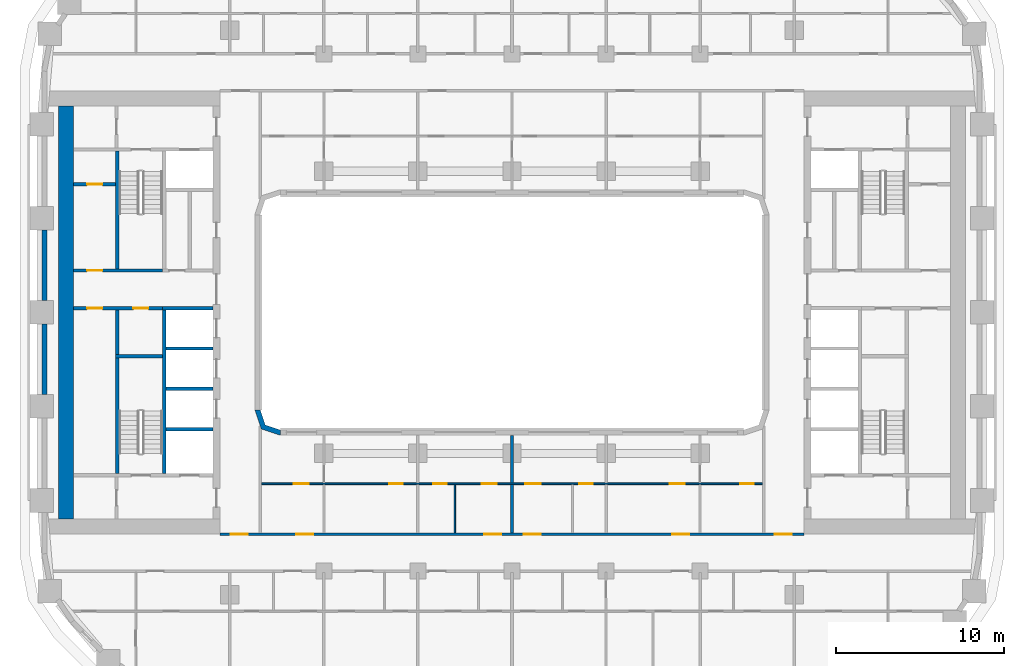
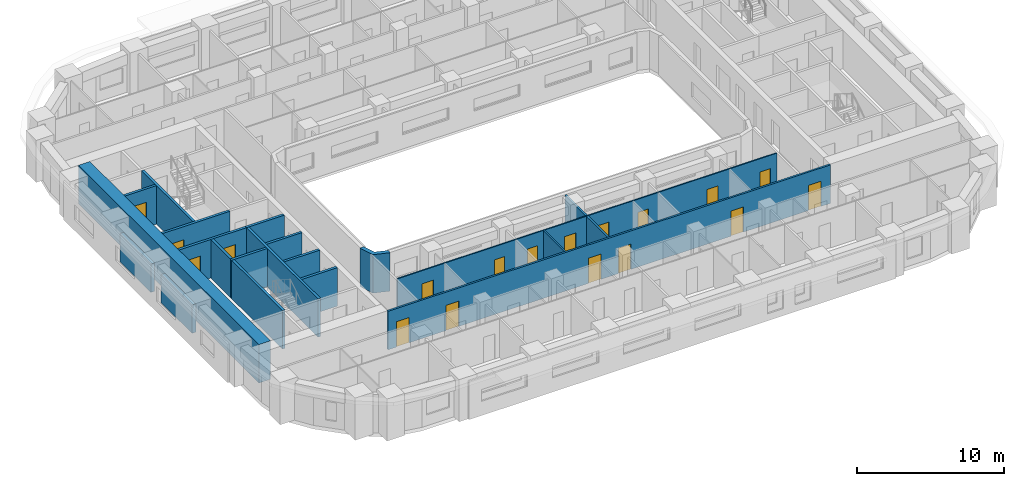
# One storey, part 4 of 22: 21 walls, 18 doors, 18 openings.
"""IFC4 building model written with IfcOpenShell, lengths in metres."""

from ifc_helpers import new_model, si_unit, direction, frame, frame_2d, origin, place, context, subcontext, project, spatial, polyline, rectangle, outline, extrude, material, layer, layer_set, type_object, element, fill, save


model = new_model("IFC4")

# Units and contexts
model_context = context("Model", 3, precision=1e-05, world=origin(), true_north=direction((0.0, 1.0)))
body_context = subcontext(model_context, "Body", "Model", "MODEL_VIEW")
ifc_project = project(units=[si_unit("LENGTHUNIT", "METRE"), si_unit("AREAUNIT", "SQUARE_METRE"), si_unit("VOLUMEUNIT", "CUBIC_METRE"), si_unit("PLANEANGLEUNIT", "RADIAN"), si_unit("MASSUNIT", "GRAM", prefix="KILO")], contexts=[model_context])

# Site, building, storey
site_placement = place(None, origin())
site = spatial("IfcSite", under=ifc_project, at=site_placement, CompositionType="ELEMENT")
building_placement = place(site_placement, origin())
building = spatial("IfcBuilding", under=site, at=building_placement, Name="Kiln Ring Residences", CompositionType="ELEMENT")
storey_placement = place(building_placement, frame((0.0, 0.0, 62.0)))
storey = spatial("IfcBuildingStorey", under=building, at=storey_placement, Name="L15", CompositionType="ELEMENT", Elevation=62.0)

# Wall
ifc_material_1 = material(Name="Gypsum board on steel studs", Category="steel")
ifc_layer_1 = layer(ifc_material_1, 0.199951171875)
ifc_layer_set_1 = layer_set([ifc_layer_1], Name="CORE-PARTITION-200")
wall_type_1 = type_object("IfcWallType", Name="CORE-PARTITION-200", PredefinedType="PARTITIONING", material=ifc_layer_set_1)
wall_1_placement = place(storey_placement, frame((-23.5, -2.5, 0.0), z_axis=(0.0, 0.0, 1.0), x_axis=(0.0, 1.0, 0.0)))
element("IfcWall", 1, at=wall_1_placement, inside=storey, type_object=wall_type_1, Name="Core partition west L15 1", PredefinedType="PARTITIONING", context=body_context, shape_type="SweptSolid", body=[
    extrude(rectangle(XDim=2.64990234375, YDim=0.199951171875, at=frame_2d((1.324951171875, 0.0))), origin(), (0.0, 0.0, 1.0), 3.199951171875),
])

# Wall, openings, doors
wall_2_placement = place(storey_placement, frame((-20.800048828125, 0.25, 0.0), z_axis=(0.0, 0.0, 1.0), x_axis=(-1.0, 0.0, 0.0)))
wall_2 = element("IfcWall", 2, at=wall_2_placement, inside=storey, type_object=wall_type_1, Name="Core partition west L15 2", PredefinedType="PARTITIONING", context=body_context, shape_type="SweptSolid", body=[
    extrude(rectangle(XDim=5.300048828125, YDim=0.199951171875, at=frame_2d((2.64990234375, 0.0))), origin(), (0.0, 0.0, 1.0), 3.199951171875),
])
opening_1_placement = place(wall_2_placement, frame((0.85009765625, 0.0, 0.0)))
opening_1 = element("IfcOpeningElement", 3, at=opening_1_placement, cuts=wall_2, Name="Opening L15-CW15", PredefinedType="OPENING", context=body_context, shape_type="SweptSolid", body=[
    extrude(rectangle(XDim=0.89990234375, YDim=2.10009765625, at=frame_2d((0.449951171875, 1.050048828125))), frame((0.0, 0.10986328125, 0.0), z_axis=(0.0, -1.0, 0.0), x_axis=(1.0, 0.0, 0.0)), (0.0, 0.0, 1.0), 0.219970703125),
])
opening_2_placement = place(wall_2_placement, frame((3.60009765625, 0.0, 0.0)))
opening_2 = element("IfcOpeningElement", 4, at=opening_2_placement, cuts=wall_2, Name="Opening L15-CW16", PredefinedType="OPENING", context=body_context, shape_type="SweptSolid", body=[
    extrude(rectangle(XDim=0.89990234375, YDim=2.10009765625, at=frame_2d((0.449951171875, 1.050048828125))), frame((0.0, 0.10986328125, 0.0), z_axis=(0.0, -1.0, 0.0), x_axis=(1.0, 0.0, 0.0)), (0.0, 0.0, 1.0), 0.219970703125),
])
ifc_material_2 = material(Name="Steel door leaf", Category="steel")
door_type_1 = type_object("IfcDoorType", Name="CORE-DOOR-ROOM", OperationType="SINGLE_SWING_LEFT", PredefinedType="DOOR", material=ifc_material_2)
door_1_placement = place(opening_1_placement, origin())
door_1 = element("IfcDoor", 5, at=door_1_placement, inside=storey, type_object=door_type_1, Name="Refuse and recycling room L15-CW15", OperationType="SINGLE_SWING_LEFT", OverallHeight=2.10009765625, OverallWidth=0.89990234375, PredefinedType="DOOR", context=body_context, shape_type="SweptSolid", body=[
    extrude(rectangle(XDim=0.89990234375, YDim=2.10009765625, at=frame_2d((0.449951171875, 1.050048828125))), frame((0.0, 0.02490234375, 0.0), z_axis=(0.0, -1.0, 0.0), x_axis=(1.0, 0.0, 0.0)), (0.0, 0.0, 1.0), 0.050048828125),
])
fill(opening_1, door_1)
door_2_placement = place(opening_2_placement, origin())
door_2 = element("IfcDoor", 6, at=door_2_placement, inside=storey, type_object=door_type_1, Name="Water tank room L15-CW16", OperationType="SINGLE_SWING_RIGHT", OverallHeight=2.10009765625, OverallWidth=0.89990234375, PredefinedType="DOOR", context=body_context, shape_type="SweptSolid", body=[
    extrude(rectangle(XDim=0.89990234375, YDim=2.10009765625, at=frame_2d((0.449951171875, 1.050048828125))), frame((0.0, 0.02490234375, 0.0), z_axis=(0.0, -1.0, 0.0), x_axis=(1.0, 0.0, 0.0)), (0.0, 0.0, 1.0), 0.050048828125),
])
fill(opening_2, door_2)

# Wall, opening, door
wall_3_placement = place(storey_placement, frame((-23.60009765625, 7.639892578125, 0.0), z_axis=(0.0, 0.0, 1.0), x_axis=(-1.0, 0.0, 0.0)))
wall_3 = element("IfcWall", 7, at=wall_3_placement, inside=storey, type_object=wall_type_1, Name="Core partition west L15 6", PredefinedType="PARTITIONING", context=body_context, shape_type="SweptSolid", body=[
    extrude(rectangle(XDim=2.5, YDim=0.199951171875, at=frame_2d((1.25, 0.0))), origin(), (0.0, 0.0, 1.0), 3.199951171875),
])
opening_3_placement = place(wall_3_placement, frame((0.800048828125, 0.0, 0.0)))
opening_3 = element("IfcOpeningElement", 8, at=opening_3_placement, cuts=wall_3, Name="Opening L15-CW17", PredefinedType="OPENING", context=body_context, shape_type="SweptSolid", body=[
    extrude(rectangle(XDim=0.89990234375, YDim=2.10009765625, at=frame_2d((0.449951171875, 1.050048828125))), frame((0.0, 0.10986328125, 0.0), z_axis=(0.0, -1.0, 0.0), x_axis=(1.0, 0.0, 0.0)), (0.0, 0.0, 1.0), 0.219970703125),
])
door_3_placement = place(opening_3_placement, origin())
door_3 = element("IfcDoor", 9, at=door_3_placement, inside=storey, type_object=door_type_1, Name="UPS room L15-CW17", OperationType="SINGLE_SWING_RIGHT", OverallHeight=2.10009765625, OverallWidth=0.89990234375, PredefinedType="DOOR", context=body_context, shape_type="SweptSolid", body=[
    extrude(rectangle(XDim=0.89990234375, YDim=2.10009765625, at=frame_2d((0.449951171875, 1.050048828125))), frame((0.0, 0.02490234375, 0.0), z_axis=(0.0, -1.0, 0.0), x_axis=(1.0, 0.0, 0.0)), (0.0, 0.0, 1.0), 0.050048828125),
])
fill(opening_3, door_3)

# Walls
ifc_material_3 = material(Name="Gypsum shaft wall system")
ifc_layer_2 = layer(ifc_material_3, 0.199951171875)
ifc_layer_set_2 = layer_set([ifc_layer_2], Name="CORE-SHAFT-WALL-200")
wall_type_2 = type_object("IfcWallType", Name="CORE-SHAFT-WALL-200", PredefinedType="PARTITIONING", material=ifc_layer_set_2)
for number, where, z_axis, x_axis, name in (
    (10, (-17.800048828125, -6.949951171875, 0.0), (0.0, 0.0, 1.0), (-1.0, 0.0, 0.0), "Core partition west L15 7"),
    (11, (-17.800048828125, -4.550048828125, 0.0), (0.0, 0.0, 1.0), (-1.0, 0.0, 0.0), "Core partition west L15 8"),
    (12, (-17.800048828125, -2.14990234375, 0.0), (0.0, 0.0, 1.0), (-1.0, 0.0, 0.0), "Core partition west L15 9"),
):
    element("IfcWall", number, at=place(storey_placement, frame(where, z_axis=z_axis, x_axis=x_axis)), inside=storey, type_object=wall_type_2, Name=name, PredefinedType="PARTITIONING", context=body_context, shape_type="SweptSolid", body=[
        extrude(rectangle(XDim=2.800048828125, YDim=0.199951171875, at=frame_2d((1.39990234375, 0.0))), origin(), (0.0, 0.0, 1.0), 3.199951171875),
    ])
wall_4_placement = place(storey_placement, frame((-17.800048828125, 0.25, 0.0), z_axis=(0.0, 0.0, 1.0), x_axis=(-1.0, 0.0, 0.0)))
element("IfcWall", 13, at=wall_4_placement, inside=storey, type_object=wall_type_2, Name="Core partition west L15 10", PredefinedType="PARTITIONING", context=body_context, shape_type="SweptSolid", body=[
    extrude(rectangle(XDim=3.0, YDim=0.199951171875, at=frame_2d((1.5, 0.0))), origin(), (0.0, 0.0, 1.0), 3.199951171875),
])
ifc_material_4 = material(Name="Concrete C40/50", Category="concrete")
ifc_layer_3 = layer(ifc_material_4, 0.199951171875)
ifc_layer_set_3 = layer_set([ifc_layer_3], Name="CORE-WALL-RC200")
wall_type_3 = type_object("IfcWallType", Name="CORE-WALL-RC200", PredefinedType="SHEAR", material=ifc_layer_set_3)
wall_5_placement = place(storey_placement, frame((-20.699951171875, -9.60009765625, 0.0), z_axis=(0.0, 0.0, 1.0), x_axis=(0.0, 1.0, 0.0)))
element("IfcWall", 14, at=wall_5_placement, inside=storey, type_object=wall_type_3, Name="Core wall west L15 2", PredefinedType="SHEAR", context=body_context, shape_type="SweptSolid", body=[
    extrude(rectangle(XDim=9.75, YDim=0.199951171875, at=frame_2d((4.875, 0.0))), origin(), (0.0, 0.0, 1.0), 3.199951171875),
])

# Wall, opening, door
wall_6_placement = place(storey_placement, frame((-20.800048828125, 2.5, 0.0), z_axis=(0.0, 0.0, 1.0), x_axis=(-1.0, 0.0, 0.0)))
wall_6 = element("IfcWall", 15, at=wall_6_placement, inside=storey, type_object=wall_type_3, Name="Core wall west L15 3", PredefinedType="SHEAR", context=body_context, shape_type="SweptSolid", body=[
    extrude(rectangle(XDim=5.300048828125, YDim=0.199951171875, at=frame_2d((2.64990234375, 0.0))), origin(), (0.0, 0.0, 1.0), 3.199951171875),
])
opening_4_placement = place(wall_6_placement, frame((3.60009765625, 0.0, 0.0)))
opening_4 = element("IfcOpeningElement", 16, at=opening_4_placement, cuts=wall_6, Name="Opening L15-CW18", PredefinedType="OPENING", context=body_context, shape_type="SweptSolid", body=[
    extrude(rectangle(XDim=0.89990234375, YDim=2.10009765625, at=frame_2d((0.449951171875, 1.050048828125))), frame((0.0, 0.10986328125, 0.0), z_axis=(0.0, -1.0, 0.0), x_axis=(1.0, 0.0, 0.0)), (0.0, 0.0, 1.0), 0.219970703125),
])
door_4_placement = place(opening_4_placement, origin())
door_4 = element("IfcDoor", 17, at=door_4_placement, inside=storey, type_object=door_type_1, Name="Electrical plant room L15-CW18", OperationType="SINGLE_SWING_LEFT", OverallHeight=2.10009765625, OverallWidth=0.89990234375, PredefinedType="DOOR", context=body_context, shape_type="SweptSolid", body=[
    extrude(rectangle(XDim=0.89990234375, YDim=2.10009765625, at=frame_2d((0.449951171875, 1.050048828125))), frame((0.0, 0.02490234375, 0.0), z_axis=(0.0, -1.0, 0.0), x_axis=(1.0, 0.0, 0.0)), (0.0, 0.0, 1.0), 0.050048828125),
])
fill(opening_4, door_4)

# Walls
wall_7_placement = place(storey_placement, frame((-23.5, 2.60009765625, 0.0), z_axis=(0.0, 0.0, 1.0), x_axis=(0.0, 1.0, 0.0)))
element("IfcWall", 18, at=wall_7_placement, inside=storey, type_object=wall_type_3, Name="Core wall west L15 10", PredefinedType="SHEAR", context=body_context, shape_type="SweptSolid", body=[
    extrude(rectangle(XDim=7.0, YDim=0.199951171875, at=frame_2d((3.5, 0.0))), origin(), (0.0, 0.0, 1.0), 3.199951171875),
])
wall_8_placement = place(storey_placement, frame((-23.5, -9.60009765625, 0.0), z_axis=(0.0, 0.0, 1.0), x_axis=(0.0, 1.0, 0.0)))
element("IfcWall", 19, at=wall_8_placement, inside=storey, type_object=wall_type_3, Name="Core wall west L15 11", PredefinedType="SHEAR", context=body_context, shape_type="SweptSolid", body=[
    extrude(rectangle(XDim=6.900146484375, YDim=0.199951171875, at=frame_2d((3.4501953125, 0.0))), origin(), (0.0, 0.0, 1.0), 3.199951171875),
])
wall_9_placement = place(storey_placement, frame((-20.800048828125, -2.60009765625, 0.0), z_axis=(0.0, 0.0, 1.0), x_axis=(-1.0, 0.0, 0.0)))
element("IfcWall", 20, at=wall_9_placement, inside=storey, type_object=wall_type_3, Name="Core wall west L15 12", PredefinedType="SHEAR", context=body_context, shape_type="SweptSolid", body=[
    extrude(rectangle(XDim=2.800048828125, YDim=0.199951171875, at=frame_2d((1.39990234375, 0.0))), origin(), (0.0, 0.0, 1.0), 3.199951171875),
])
ifc_material_5 = material(Name="Concrete C60/75", Category="concrete")
ifc_layer_4 = layer(ifc_material_5, 0.89990234375)
ifc_layer_set_4 = layer_set([ifc_layer_4], Name="CORE-WALL-RC900")
wall_type_4 = type_object("IfcWallType", Name="CORE-WALL-RC900", PredefinedType="SHEAR", material=ifc_layer_set_4)
wall_10_placement = place(storey_placement, frame((-26.550048828125, -12.300048828125, 0.0), z_axis=(0.0, 0.0, 1.0), x_axis=(0.0, 1.0, 0.0)))
element("IfcWall", 21, at=wall_10_placement, inside=storey, type_object=wall_type_4, Name="Core wall west L15 7", PredefinedType="SHEAR", context=body_context, shape_type="SweptSolid", body=[
    extrude(rectangle(XDim=24.60009765625, YDim=0.89990234375, at=frame_2d((12.300048828125, 0.0))), origin(), (0.0, 0.0, 1.0), 3.199951171875),
])
ifc_material_6 = material(Name="Brick masonry, dark clay brick", Category="masonry")
ifc_layer_5 = layer(ifc_material_6, 0.300048828125)
ifc_layer_set_5 = layer_set([ifc_layer_5], Name="EW-300 BRICK WALL")
wall_type_5 = type_object("IfcWallType", Name="EW-300 BRICK WALL", PredefinedType="SOLIDWALL", material=ifc_layer_set_5)
for number, where, z_axis, x_axis, name in (
    (22, (-27.85009765625, 4.89990234375, 0.0), (0.0, 0.0, 1.0), (0.0, -1.0, 0.0), "Facade wall L15 43"),
    (23, (-27.85009765625, -0.699951171875, 0.0), (0.0, 0.0, 1.0), (0.0, -1.0, 0.0), "Facade wall L15 44"),
):
    element("IfcWall", number, at=place(storey_placement, frame(where, z_axis=z_axis, x_axis=x_axis)), inside=storey, type_object=wall_type_5, Name=name, PredefinedType="SOLIDWALL", context=body_context, shape_type="SweptSolid", body=[
        extrude(rectangle(XDim=4.199951171875, YDim=0.300048828125, at=frame_2d((2.10009765625, 0.0))), origin(), (0.0, 0.0, 1.0), 2.35009765625),
    ])
wall_11_placement = place(storey_placement, origin())
element("IfcWall", 24, at=wall_11_placement, inside=storey, type_object=wall_type_5, Name="Corner wall L15 4", PredefinedType="SOLIDWALL", context=body_context, shape_type="SweptSolid", body=[
    extrude(outline(polyline([(-14.937255859375, -6.937255859375), (-13.8486328125, -7.300048828125), (-13.800048828125, -7.300048828125), (-13.800048828125, -7.0), (-14.699951171875, -6.699951171875), (-15.0, -5.800048828125), (-15.300048828125, -5.800048828125), (-15.300048828125, -5.8486328125), (-14.937255859375, -6.937255859375)])), origin(), (0.0, 0.0, 1.0), 3.199951171875),
])

# Wall, openings, doors
ifc_material_7 = material(Name="Gypsum board on steel studs", Category="steel")
ifc_layer_6 = layer(ifc_material_7, 0.10009765625)
ifc_layer_set_6 = layer_set([ifc_layer_6], Name="PARTITION-100")
wall_type_6 = type_object("IfcWallType", Name="PARTITION-100", PredefinedType="PARTITIONING", material=ifc_layer_set_6)
wall_12_placement = place(storey_placement, frame((-14.925048828125, -10.199951171875, 0.0), z_axis=(0.0, 0.0, 1.0), x_axis=(1.0, 0.0, 0.0)))
wall_12 = element("IfcWall", 25, at=wall_12_placement, inside=storey, type_object=wall_type_6, Name="Partition 003", PredefinedType="PARTITIONING", context=body_context, shape_type="SweptSolid", body=[
    extrude(rectangle(XDim=29.85009765625, YDim=0.10009765625, at=frame_2d((14.925048828125, 0.0))), origin(), (0.0, 0.0, 1.0), 3.199951171875),
])
opening_5_placement = place(wall_12_placement, frame((7.625, 0.0, 0.0)))
opening_5 = element("IfcOpeningElement", 26, at=opening_5_placement, cuts=wall_12, Name="Opening L15-D044", PredefinedType="OPENING", context=body_context, shape_type="SweptSolid", body=[
    extrude(rectangle(XDim=0.800048828125, YDim=2.10009765625, at=frame_2d((0.39990234375, 1.050048828125))), frame((0.0, 0.06005859375, 0.0), z_axis=(0.0, -1.0, 0.0), x_axis=(1.0, 0.0, 0.0)), (0.0, 0.0, 1.0), 0.1201171875),
])
opening_6_placement = place(wall_12_placement, frame((1.925048828125, 0.0, 0.0)))
opening_6 = element("IfcOpeningElement", 27, at=opening_6_placement, cuts=wall_12, Name="Opening L15-D045", PredefinedType="OPENING", context=body_context, shape_type="SweptSolid", body=[
    extrude(rectangle(XDim=0.89990234375, YDim=2.10009765625, at=frame_2d((0.449951171875, 1.050048828125))), frame((0.0, 0.06005859375, 0.0), z_axis=(0.0, -1.0, 0.0), x_axis=(1.0, 0.0, 0.0)), (0.0, 0.0, 1.0), 0.1201171875),
])
opening_7_placement = place(wall_12_placement, frame((10.22509765625, 0.0, 0.0)))
opening_7 = element("IfcOpeningElement", 28, at=opening_7_placement, cuts=wall_12, Name="Opening L15-D048", PredefinedType="OPENING", context=body_context, shape_type="SweptSolid", body=[
    extrude(rectangle(XDim=0.800048828125, YDim=2.10009765625, at=frame_2d((0.39990234375, 1.050048828125))), frame((0.0, 0.06005859375, 0.0), z_axis=(0.0, -1.0, 0.0), x_axis=(1.0, 0.0, 0.0)), (0.0, 0.0, 1.0), 0.1201171875),
])
opening_8_placement = place(wall_12_placement, frame((13.125, 0.0, 0.0)))
opening_8 = element("IfcOpeningElement", 29, at=opening_8_placement, cuts=wall_12, Name="Opening L15-D049", PredefinedType="OPENING", context=body_context, shape_type="SweptSolid", body=[
    extrude(rectangle(XDim=0.89990234375, YDim=2.10009765625, at=frame_2d((0.449951171875, 1.050048828125))), frame((0.0, 0.06005859375, 0.0), z_axis=(0.0, -1.0, 0.0), x_axis=(1.0, 0.0, 0.0)), (0.0, 0.0, 1.0), 0.1201171875),
])
opening_9_placement = place(wall_12_placement, frame((18.925048828125, 0.0, 0.0)))
opening_9 = element("IfcOpeningElement", 30, at=opening_9_placement, cuts=wall_12, Name="Opening L15-D051", PredefinedType="OPENING", context=body_context, shape_type="SweptSolid", body=[
    extrude(rectangle(XDim=0.800048828125, YDim=2.10009765625, at=frame_2d((0.39990234375, 1.050048828125))), frame((0.0, 0.06005859375, 0.0), z_axis=(0.0, -1.0, 0.0), x_axis=(1.0, 0.0, 0.0)), (0.0, 0.0, 1.0), 0.1201171875),
])
opening_10_placement = place(wall_12_placement, frame((15.72509765625, 0.0, 0.0)))
opening_10 = element("IfcOpeningElement", 31, at=opening_10_placement, cuts=wall_12, Name="Opening L15-D052", PredefinedType="OPENING", context=body_context, shape_type="SweptSolid", body=[
    extrude(rectangle(XDim=0.89990234375, YDim=2.10009765625, at=frame_2d((0.449951171875, 1.050048828125))), frame((0.0, 0.06005859375, 0.0), z_axis=(0.0, -1.0, 0.0), x_axis=(1.0, 0.0, 0.0)), (0.0, 0.0, 1.0), 0.1201171875),
])
opening_11_placement = place(wall_12_placement, frame((28.52490234375, 0.0, 0.0)))
opening_11 = element("IfcOpeningElement", 32, at=opening_11_placement, cuts=wall_12, Name="Opening L15-D054", PredefinedType="OPENING", context=body_context, shape_type="SweptSolid", body=[
    extrude(rectangle(XDim=0.800048828125, YDim=2.10009765625, at=frame_2d((0.39990234375, 1.050048828125))), frame((0.0, 0.06005859375, 0.0), z_axis=(0.0, -1.0, 0.0), x_axis=(1.0, 0.0, 0.0)), (0.0, 0.0, 1.0), 0.1201171875),
])
opening_12_placement = place(wall_12_placement, frame((24.324951171875, 0.0, 0.0)))
opening_12 = element("IfcOpeningElement", 33, at=opening_12_placement, cuts=wall_12, Name="Opening L15-D055", PredefinedType="OPENING", context=body_context, shape_type="SweptSolid", body=[
    extrude(rectangle(XDim=0.89990234375, YDim=2.10009765625, at=frame_2d((0.449951171875, 1.050048828125))), frame((0.0, 0.06005859375, 0.0), z_axis=(0.0, -1.0, 0.0), x_axis=(1.0, 0.0, 0.0)), (0.0, 0.0, 1.0), 0.1201171875),
])
ifc_material_8 = material(Name="Timber door leaf", Category="wood")
door_type_2 = type_object("IfcDoorType", Name="FLAT-DOOR-800-PL", OperationType="SINGLE_SWING_LEFT", PredefinedType="DOOR", material=ifc_material_8)
door_5_placement = place(opening_5_placement, origin())
door_5 = element("IfcDoor", 34, at=door_5_placement, inside=storey, type_object=door_type_2, Name="Door L15-D044", OperationType="SINGLE_SWING_RIGHT", OverallHeight=2.10009765625, OverallWidth=0.800048828125, PredefinedType="DOOR", context=body_context, shape_type="SweptSolid", body=[
    extrude(rectangle(XDim=0.800048828125, YDim=2.10009765625, at=frame_2d((0.39990234375, 1.050048828125))), frame((0.0, 0.02490234375, 0.0), z_axis=(0.0, -1.0, 0.0), x_axis=(1.0, 0.0, 0.0)), (0.0, 0.0, 1.0), 0.050048828125),
])
fill(opening_5, door_5)
door_6_placement = place(opening_7_placement, origin())
door_6 = element("IfcDoor", 35, at=door_6_placement, inside=storey, type_object=door_type_2, Name="Door L15-D048", OperationType="SINGLE_SWING_RIGHT", OverallHeight=2.10009765625, OverallWidth=0.800048828125, PredefinedType="DOOR", context=body_context, shape_type="SweptSolid", body=[
    extrude(rectangle(XDim=0.800048828125, YDim=2.10009765625, at=frame_2d((0.39990234375, 1.050048828125))), frame((0.0, 0.02490234375, 0.0), z_axis=(0.0, -1.0, 0.0), x_axis=(1.0, 0.0, 0.0)), (0.0, 0.0, 1.0), 0.050048828125),
])
fill(opening_7, door_6)
door_7_placement = place(opening_9_placement, origin())
door_7 = element("IfcDoor", 36, at=door_7_placement, inside=storey, type_object=door_type_2, Name="Door L15-D051", OperationType="SINGLE_SWING_LEFT", OverallHeight=2.10009765625, OverallWidth=0.800048828125, PredefinedType="DOOR", context=body_context, shape_type="SweptSolid", body=[
    extrude(rectangle(XDim=0.800048828125, YDim=2.10009765625, at=frame_2d((0.39990234375, 1.050048828125))), frame((0.0, 0.02490234375, 0.0), z_axis=(0.0, -1.0, 0.0), x_axis=(1.0, 0.0, 0.0)), (0.0, 0.0, 1.0), 0.050048828125),
])
fill(opening_9, door_7)
door_8_placement = place(opening_11_placement, origin())
door_8 = element("IfcDoor", 37, at=door_8_placement, inside=storey, type_object=door_type_2, Name="Door L15-D054", OperationType="SINGLE_SWING_RIGHT", OverallHeight=2.10009765625, OverallWidth=0.800048828125, PredefinedType="DOOR", context=body_context, shape_type="SweptSolid", body=[
    extrude(rectangle(XDim=0.800048828125, YDim=2.10009765625, at=frame_2d((0.39990234375, 1.050048828125))), frame((0.0, 0.02490234375, 0.0), z_axis=(0.0, -1.0, 0.0), x_axis=(1.0, 0.0, 0.0)), (0.0, 0.0, 1.0), 0.050048828125),
])
fill(opening_11, door_8)
ifc_material_9 = material(Name="Timber door leaf", Category="wood")
door_type_3 = type_object("IfcDoorType", Name="FLAT-DOOR-900-PL", OperationType="SINGLE_SWING_LEFT", PredefinedType="DOOR", material=ifc_material_9)
door_9_placement = place(opening_6_placement, origin())
door_9 = element("IfcDoor", 38, at=door_9_placement, inside=storey, type_object=door_type_3, Name="Door L15-D045", OperationType="SINGLE_SWING_LEFT", OverallHeight=2.10009765625, OverallWidth=0.89990234375, PredefinedType="DOOR", context=body_context, shape_type="SweptSolid", body=[
    extrude(rectangle(XDim=0.89990234375, YDim=2.10009765625, at=frame_2d((0.449951171875, 1.050048828125))), frame((0.0, 0.02490234375, 0.0), z_axis=(0.0, -1.0, 0.0), x_axis=(1.0, 0.0, 0.0)), (0.0, 0.0, 1.0), 0.050048828125),
])
fill(opening_6, door_9)
door_10_placement = place(opening_8_placement, origin())
door_10 = element("IfcDoor", 39, at=door_10_placement, inside=storey, type_object=door_type_3, Name="Door L15-D049", OperationType="SINGLE_SWING_LEFT", OverallHeight=2.10009765625, OverallWidth=0.89990234375, PredefinedType="DOOR", context=body_context, shape_type="SweptSolid", body=[
    extrude(rectangle(XDim=0.89990234375, YDim=2.10009765625, at=frame_2d((0.449951171875, 1.050048828125))), frame((0.0, 0.02490234375, 0.0), z_axis=(0.0, -1.0, 0.0), x_axis=(1.0, 0.0, 0.0)), (0.0, 0.0, 1.0), 0.050048828125),
])
fill(opening_8, door_10)
door_11_placement = place(opening_10_placement, origin())
door_11 = element("IfcDoor", 40, at=door_11_placement, inside=storey, type_object=door_type_3, Name="Door L15-D052", OperationType="SINGLE_SWING_RIGHT", OverallHeight=2.10009765625, OverallWidth=0.89990234375, PredefinedType="DOOR", context=body_context, shape_type="SweptSolid", body=[
    extrude(rectangle(XDim=0.89990234375, YDim=2.10009765625, at=frame_2d((0.449951171875, 1.050048828125))), frame((0.0, 0.02490234375, 0.0), z_axis=(0.0, -1.0, 0.0), x_axis=(1.0, 0.0, 0.0)), (0.0, 0.0, 1.0), 0.050048828125),
])
fill(opening_10, door_11)
door_12_placement = place(opening_12_placement, origin())
door_12 = element("IfcDoor", 41, at=door_12_placement, inside=storey, type_object=door_type_3, Name="Door L15-D055", OperationType="SINGLE_SWING_LEFT", OverallHeight=2.10009765625, OverallWidth=0.89990234375, PredefinedType="DOOR", context=body_context, shape_type="SweptSolid", body=[
    extrude(rectangle(XDim=0.89990234375, YDim=2.10009765625, at=frame_2d((0.449951171875, 1.050048828125))), frame((0.0, 0.02490234375, 0.0), z_axis=(0.0, -1.0, 0.0), x_axis=(1.0, 0.0, 0.0)), (0.0, 0.0, 1.0), 0.050048828125),
])
fill(opening_12, door_12)

# Wall
wall_13_placement = place(storey_placement, frame((-3.39990234375, -13.125, 0.0), z_axis=(0.0, 0.0, 1.0), x_axis=(0.0, 1.0, 0.0)))
element("IfcWall", 42, at=wall_13_placement, inside=storey, type_object=wall_type_6, Name="Partition 038", PredefinedType="PARTITIONING", context=body_context, shape_type="SweptSolid", body=[
    extrude(rectangle(XDim=2.875, YDim=0.10009765625, at=frame_2d((1.4375, 0.0))), origin(), (0.0, 0.0, 1.0), 3.199951171875),
])

# Wall, openings, doors
ifc_material_10 = material(Name="Brick masonry partition", Category="masonry")
ifc_layer_7 = layer(ifc_material_10, 0.14990234375)
ifc_layer_set_7 = layer_set([ifc_layer_7], Name="PARTITION-150-ei60")
wall_type_7 = type_object("IfcWallType", Name="PARTITION-150-ei60", PredefinedType="PARTITIONING", material=ifc_layer_set_7)
wall_14_placement = place(storey_placement, frame((-17.39990234375, -13.199951171875, 0.0), z_axis=(0.0, 0.0, 1.0), x_axis=(1.0, 0.0, 0.0)))
wall_14 = element("IfcWall", 43, at=wall_14_placement, inside=storey, type_object=wall_type_7, Name="Partition 002", PredefinedType="PARTITIONING", context=body_context, shape_type="SweptSolid", body=[
    extrude(rectangle(XDim=34.7998046875, YDim=0.14990234375, at=frame_2d((17.39990234375, 0.0))), origin(), (0.0, 0.0, 1.0), 3.199951171875),
])
opening_13_placement = place(wall_14_placement, frame((0.64990234375, 0.0, 0.0)))
opening_13 = element("IfcOpeningElement", 44, at=opening_13_placement, cuts=wall_14, Name="Opening L15-D003", PredefinedType="OPENING", context=body_context, shape_type="SweptSolid", body=[
    extrude(rectangle(XDim=1.0, YDim=2.10009765625, at=frame_2d((0.5, 1.050048828125))), frame((0.0, 0.0849609375, 0.0), z_axis=(0.0, -1.0, 0.0), x_axis=(1.0, 0.0, 0.0)), (0.0, 0.0, 1.0), 0.169921875),
])
opening_14_placement = place(wall_14_placement, frame((33.050048828125, 0.0, 0.0)))
opening_14 = element("IfcOpeningElement", 45, at=opening_14_placement, cuts=wall_14, Name="Opening L15-D004", PredefinedType="OPENING", context=body_context, shape_type="SweptSolid", body=[
    extrude(rectangle(XDim=1.0, YDim=2.10009765625, at=frame_2d((0.5, 1.050048828125))), frame((0.0, 0.0849609375, 0.0), z_axis=(0.0, -1.0, 0.0), x_axis=(1.0, 0.0, 0.0)), (0.0, 0.0, 1.0), 0.169921875),
])
opening_15_placement = place(wall_14_placement, frame((4.550048828125, 0.0, 0.0)))
opening_15 = element("IfcOpeningElement", 46, at=opening_15_placement, cuts=wall_14, Name="Opening L15-D043", PredefinedType="OPENING", context=body_context, shape_type="SweptSolid", body=[
    extrude(rectangle(XDim=1.0, YDim=2.10009765625, at=frame_2d((0.5, 1.050048828125))), frame((0.0, 0.0849609375, 0.0), z_axis=(0.0, -1.0, 0.0), x_axis=(1.0, 0.0, 0.0)), (0.0, 0.0, 1.0), 0.169921875),
])
opening_16_placement = place(wall_14_placement, frame((15.75, 0.0, 0.0)))
opening_16 = element("IfcOpeningElement", 47, at=opening_16_placement, cuts=wall_14, Name="Opening L15-D047", PredefinedType="OPENING", context=body_context, shape_type="SweptSolid", body=[
    extrude(rectangle(XDim=1.0, YDim=2.10009765625, at=frame_2d((0.5, 1.050048828125))), frame((0.0, 0.0849609375, 0.0), z_axis=(0.0, -1.0, 0.0), x_axis=(1.0, 0.0, 0.0)), (0.0, 0.0, 1.0), 0.169921875),
])
opening_17_placement = place(wall_14_placement, frame((18.10009765625, 0.0, 0.0)))
opening_17 = element("IfcOpeningElement", 48, at=opening_17_placement, cuts=wall_14, Name="Opening L15-D050", PredefinedType="OPENING", context=body_context, shape_type="SweptSolid", body=[
    extrude(rectangle(XDim=1.0, YDim=2.10009765625, at=frame_2d((0.5, 1.050048828125))), frame((0.0, 0.0849609375, 0.0), z_axis=(0.0, -1.0, 0.0), x_axis=(1.0, 0.0, 0.0)), (0.0, 0.0, 1.0), 0.169921875),
])
opening_18_placement = place(wall_14_placement, frame((26.949951171875, 0.0, 0.0)))
opening_18 = element("IfcOpeningElement", 49, at=opening_18_placement, cuts=wall_14, Name="Opening L15-D053", PredefinedType="OPENING", context=body_context, shape_type="SweptSolid", body=[
    extrude(rectangle(XDim=1.0, YDim=2.10009765625, at=frame_2d((0.5, 1.050048828125))), frame((0.0, 0.0849609375, 0.0), z_axis=(0.0, -1.0, 0.0), x_axis=(1.0, 0.0, 0.0)), (0.0, 0.0, 1.0), 0.169921875),
])
ifc_material_11 = material(Name="Steel faced fire door leaf", Category="steel")
door_type_4 = type_object("IfcDoorType", Name="FLAT-DOOR-1000-FR", OperationType="SINGLE_SWING_LEFT", PredefinedType="DOOR", material=ifc_material_11)
door_13_placement = place(opening_13_placement, origin())
door_13 = element("IfcDoor", 50, at=door_13_placement, inside=storey, type_object=door_type_4, Name="Door L15-D003", OperationType="SINGLE_SWING_RIGHT", OverallHeight=2.10009765625, OverallWidth=1.0, PredefinedType="DOOR", context=body_context, shape_type="SweptSolid", body=[
    extrude(rectangle(XDim=1.0, YDim=2.10009765625, at=frame_2d((0.5, 1.050048828125))), frame((0.0, 0.02490234375, 0.0), z_axis=(0.0, -1.0, 0.0), x_axis=(1.0, 0.0, 0.0)), (0.0, 0.0, 1.0), 0.050048828125),
])
fill(opening_13, door_13)
door_14_placement = place(opening_14_placement, origin())
door_14 = element("IfcDoor", 51, at=door_14_placement, inside=storey, type_object=door_type_4, Name="Door L15-D004", OperationType="SINGLE_SWING_LEFT", OverallHeight=2.10009765625, OverallWidth=1.0, PredefinedType="DOOR", context=body_context, shape_type="SweptSolid", body=[
    extrude(rectangle(XDim=1.0, YDim=2.10009765625, at=frame_2d((0.5, 1.050048828125))), frame((0.0, 0.02490234375, 0.0), z_axis=(0.0, -1.0, 0.0), x_axis=(1.0, 0.0, 0.0)), (0.0, 0.0, 1.0), 0.050048828125),
])
fill(opening_14, door_14)
door_15_placement = place(opening_15_placement, origin())
door_15 = element("IfcDoor", 52, at=door_15_placement, inside=storey, type_object=door_type_4, Name="Door L15-D043", OperationType="SINGLE_SWING_LEFT", OverallHeight=2.10009765625, OverallWidth=1.0, PredefinedType="DOOR", context=body_context, shape_type="SweptSolid", body=[
    extrude(rectangle(XDim=1.0, YDim=2.10009765625, at=frame_2d((0.5, 1.050048828125))), frame((0.0, 0.02490234375, 0.0), z_axis=(0.0, -1.0, 0.0), x_axis=(1.0, 0.0, 0.0)), (0.0, 0.0, 1.0), 0.050048828125),
])
fill(opening_15, door_15)
door_16_placement = place(opening_16_placement, origin())
door_16 = element("IfcDoor", 53, at=door_16_placement, inside=storey, type_object=door_type_4, Name="Door L15-D047", OperationType="SINGLE_SWING_LEFT", OverallHeight=2.10009765625, OverallWidth=1.0, PredefinedType="DOOR", context=body_context, shape_type="SweptSolid", body=[
    extrude(rectangle(XDim=1.0, YDim=2.10009765625, at=frame_2d((0.5, 1.050048828125))), frame((0.0, 0.02490234375, 0.0), z_axis=(0.0, -1.0, 0.0), x_axis=(1.0, 0.0, 0.0)), (0.0, 0.0, 1.0), 0.050048828125),
])
fill(opening_16, door_16)
door_17_placement = place(opening_17_placement, origin())
door_17 = element("IfcDoor", 54, at=door_17_placement, inside=storey, type_object=door_type_4, Name="Door L15-D050", OperationType="SINGLE_SWING_RIGHT", OverallHeight=2.10009765625, OverallWidth=1.0, PredefinedType="DOOR", context=body_context, shape_type="SweptSolid", body=[
    extrude(rectangle(XDim=1.0, YDim=2.10009765625, at=frame_2d((0.5, 1.050048828125))), frame((0.0, 0.02490234375, 0.0), z_axis=(0.0, -1.0, 0.0), x_axis=(1.0, 0.0, 0.0)), (0.0, 0.0, 1.0), 0.050048828125),
])
fill(opening_17, door_17)
door_18_placement = place(opening_18_placement, origin())
door_18 = element("IfcDoor", 55, at=door_18_placement, inside=storey, type_object=door_type_4, Name="Door L15-D053", OperationType="SINGLE_SWING_LEFT", OverallHeight=2.10009765625, OverallWidth=1.0, PredefinedType="DOOR", context=body_context, shape_type="SweptSolid", body=[
    extrude(rectangle(XDim=1.0, YDim=2.10009765625, at=frame_2d((0.5, 1.050048828125))), frame((0.0, 0.02490234375, 0.0), z_axis=(0.0, -1.0, 0.0), x_axis=(1.0, 0.0, 0.0)), (0.0, 0.0, 1.0), 0.050048828125),
])
fill(opening_18, door_18)

# Walls
wall_15_placement = place(storey_placement, frame((0.0, -13.125, 0.0), z_axis=(0.0, 0.0, 1.0), x_axis=(0.0, 1.0, 0.0)))
element("IfcWall", 56, at=wall_15_placement, inside=storey, type_object=wall_type_7, Name="Partition 045", PredefinedType="PARTITIONING", context=body_context, shape_type="SweptSolid", body=[
    extrude(rectangle(XDim=2.875, YDim=0.14990234375, at=frame_2d((1.4375, 0.0))), origin(), (0.0, 0.0, 1.0), 3.199951171875),
])
wall_16_placement = place(storey_placement, frame((0.0, -10.14990234375, 0.0), z_axis=(0.0, 0.0, 1.0), x_axis=(0.0, 1.0, 0.0)))
element("IfcWall", 57, at=wall_16_placement, inside=storey, type_object=wall_type_7, Name="Partition 046", PredefinedType="PARTITIONING", context=body_context, shape_type="SweptSolid", body=[
    extrude(rectangle(XDim=2.829833984375, YDim=0.14990234375, at=frame_2d((1.4150390625, 0.0))), origin(), (0.0, 0.0, 1.0), 3.199951171875),
])

save(model, "model.ifc")
